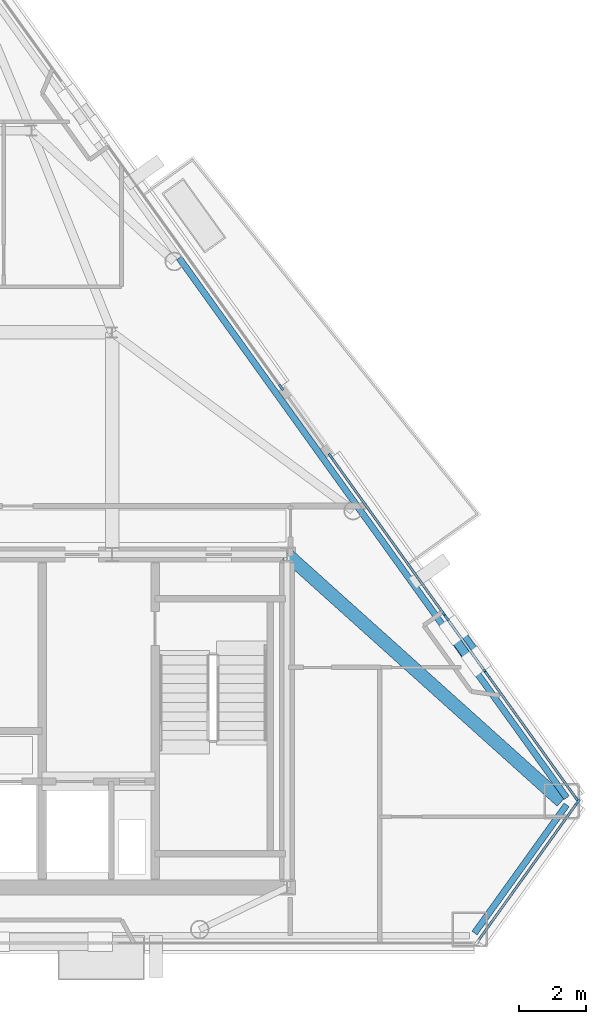
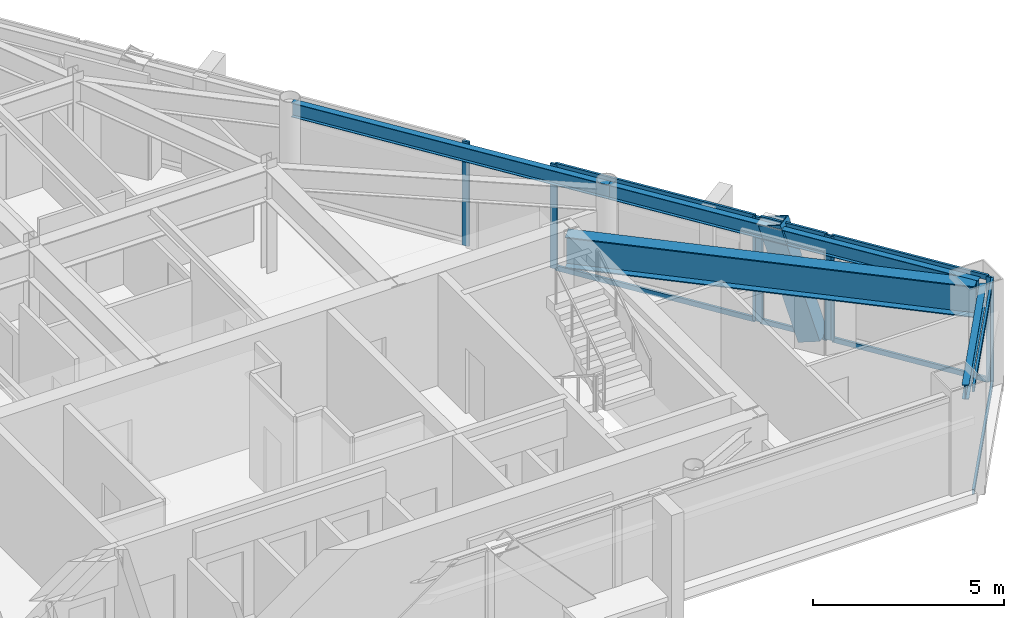
# One storey, part 5 of 11: 17 members, 4 beams, 5 elements without a shape of their own.
"""IFC4 building model written with IfcOpenShell, lengths in metres."""

from ifc_helpers import new_model, si_unit, direction, frame, origin, origin_2d, place, context, subcontext, project, spatial, rectangle, hollow_rectangle, i_section, extrude, material, layer, layer_set, material_profile, profile_set, type_object, element, aggregate, save


model = new_model("IFC4")

# Units and contexts
model_context = context("Model", 3, precision=1e-05, world=origin(), true_north=direction((0.0, 1.0)))
body_context = subcontext(model_context, "Body", "Model", "MODEL_VIEW")
ifc_project = project(units=[si_unit("LENGTHUNIT", "METRE"), si_unit("AREAUNIT", "SQUARE_METRE"), si_unit("VOLUMEUNIT", "CUBIC_METRE"), si_unit("PLANEANGLEUNIT", "RADIAN"), si_unit("MASSUNIT", "GRAM", prefix="KILO")], contexts=[model_context])

# Site, building, storey
site_placement = place(None, origin())
site = spatial("IfcSite", under=ifc_project, at=site_placement, CompositionType="ELEMENT")
building_placement = place(site_placement, origin())
building = spatial("IfcBuilding", under=site, at=building_placement, Name="Talgorran Terracotta Tower", CompositionType="ELEMENT")
storey_placement = place(building_placement, frame((0.0, 0.0, 218.10009765625)))
storey = spatial("IfcBuildingStorey", under=building, at=storey_placement, Name="L57", CompositionType="ELEMENT", Elevation=218.10009765625)

# Beams
ifc_material_1 = material(Name="Steel Grade 350 (350L0)", Category="steel")
ifc_material_profile_1 = material_profile(ifc_material_1, i_section(OverallWidth=0.39990234375, OverallDepth=1.0, WebThickness=0.01611328125, FlangeThickness=0.031005859375, at=origin_2d()), Name="1000WB296")
ifc_profile_set_1 = profile_set([ifc_material_profile_1], Name="Steel Grade 350 (350L0)")
beam_type_1 = type_object("IfcBeamType", Name="BM_1000WB296", PredefinedType="BEAM", material=ifc_profile_set_1)
beam_1_placement = place(storey_placement, frame((12.39990234375, -4.199951171875, 2.844970703125), z_axis=(0.743768255752, -0.668437567567, 0.0), x_axis=(0.668437567567, 0.743768255752, 0.0)))
element("IfcBeam", 1, at=beam_1_placement, inside=storey, type_object=beam_type_1, Name="L57 Floor Girder G18", PredefinedType="BEAM", context=body_context, shape_type="SweptSolid", body=[
    extrude(i_section(OverallWidth=0.39990234375, OverallDepth=1.0, WebThickness=0.01611328125, FlangeThickness=0.031005859375, at=origin_2d()), origin(), (0.0, 0.0, 1.0), 10.980224609375),
])
ifc_material_2 = material(Name="Steel S355 (300PLUS)", Category="steel")
ifc_material_profile_2 = material_profile(ifc_material_2, i_section(OverallWidth=0.18994140625, OverallDepth=0.45703125, WebThickness=0.009033203125, FlangeThickness=0.014404296875, at=origin_2d()), Name="460UB74.6")
ifc_profile_set_2 = profile_set([ifc_material_profile_2], Name="Steel S355 (300PLUS)")
beam_type_2 = type_object("IfcBeamType", Name="BM_SP_460UB74", PredefinedType="SPANDREL", material=ifc_profile_set_2)
beam_2_placement = place(storey_placement, frame((17.976318359375, -15.457275390625, 3.116455078125), z_axis=(0.583096756271, 0.812402715915, 0.0), x_axis=(-0.812402715915, 0.583096756271, 0.0)))
element("IfcBeam", 2, at=beam_2_placement, inside=storey, type_object=beam_type_2, Name="L57 Perimeter Spandrel Beam MC3-MC4", PredefinedType="SPANDREL", context=body_context, shape_type="SweptSolid", body=[
    extrude(i_section(OverallWidth=0.18994140625, OverallDepth=0.45703125, WebThickness=0.009033203125, FlangeThickness=0.014404296875, at=origin_2d()), origin(), (0.0, 0.0, 1.0), 4.693115234375),
])
beam_3_placement = place(storey_placement, frame((20.712890625, -11.4345703125, 3.116455078125), z_axis=(-0.583120966057, 0.812385338953, 0.0), x_axis=(-0.812385338953, -0.583120966057, 0.0)))
element("IfcBeam", 3, at=beam_3_placement, inside=storey, type_object=beam_type_2, Name="L57 Perimeter Spandrel Beam MC4-FC3", PredefinedType="SPANDREL", context=body_context, shape_type="SweptSolid", body=[
    extrude(i_section(OverallWidth=0.18994140625, OverallDepth=0.45703125, WebThickness=0.009033203125, FlangeThickness=0.014404296875, at=origin_2d()), origin(), (0.0, 0.0, 1.0), 10.63818359375),
])
beam_4_placement = place(storey_placement, frame((14.509521484375, -2.792236328125, 3.116455078125), z_axis=(-0.583100770976, 0.812399834372, 0.0), x_axis=(-0.812399834372, -0.583100770976, 0.0)))
element("IfcBeam", 4, at=beam_4_placement, inside=storey, type_object=beam_type_2, Name="L57 Perimeter Spandrel Beam FC3-FC4", PredefinedType="SPANDREL", context=body_context, shape_type="SweptSolid", body=[
    extrude(i_section(OverallWidth=0.18994140625, OverallDepth=0.45703125, WebThickness=0.009033203125, FlangeThickness=0.014404296875, at=origin_2d()), origin(), (0.0, 0.0, 1.0), 9.118408203125),
])

# Member
ifc_material_profile_3 = material_profile(ifc_material_1, hollow_rectangle(XDim=0.52001953125, YDim=0.659912109375, WallThickness=0.034912109375, at=origin_2d()), Name="WBOX660X520X35")
ifc_profile_set_3 = profile_set([ifc_material_profile_3], Name="Steel Grade 350 (350L0)")
member_type_1 = type_object("IfcMemberType", Name="MB_MEGA_660", PredefinedType="BRACE", material=ifc_profile_set_3)
member_1_placement = place(storey_placement, frame((18.02490234375, -7.380859375, -0.025146484375), z_axis=(-0.18574859012, 0.258821063004, 0.947897208886), x_axis=(-0.812430285491, -0.583058342893, 0.0)))
element("IfcMember", 5, at=member_1_placement, inside=storey, type_object=member_type_1, Name="L57 Exterior Face Mega-Brace MB-3 (NEL)", PredefinedType="BRACE", context=body_context, shape_type="SweptSolid", body=[
    extrude(hollow_rectangle(XDim=0.52001953125, YDim=0.659912109375, WallThickness=0.034912109375, at=origin_2d()), origin(), (0.0, 0.0, 1.0), 3.58154296875),
])

# Curtain wall, member
ifc_material_3 = material(Name="High-Wind Unitised Glazing", Category="glass")
ifc_layer = layer(ifc_material_3, 0.2099609375, Name="CW_SYS3_RES_HIGH")
ifc_layer_set = layer_set([ifc_layer], Name="High-Wind Unitised Glazing")
curtain_wall_type = type_object("IfcCurtainWallType", Name="CW_SYS3_RES_HIGH", PredefinedType="NOTDEFINED", material=ifc_layer_set)
curtain_wall_1_placement = place(storey_placement, origin())
curtain_wall_1 = element("IfcCurtainWall", 6, at=curtain_wall_1_placement, inside=storey, type_object=curtain_wall_type, Name="CW-L57-F2", PredefinedType="NOTDEFINED")
ifc_material_4 = material(Name="Architectural Aluminium 6063-T6", Category="aluminium")
ifc_material_profile_4 = material_profile(ifc_material_4, rectangle(XDim=0.070068359375, YDim=0.199951171875, at=origin_2d()), Name="CWM70X200")
ifc_profile_set_4 = profile_set([ifc_material_profile_4], Name="Architectural Aluminium 6063-T6")
member_type_2 = type_object("IfcMemberType", Name="MUL_70X200", PredefinedType="MULLION", material=ifc_profile_set_4)
member_2_placement = place(storey_placement, frame((21.03857421875, -11.568115234375, 0.0), z_axis=(0.0, 0.0, 1.0), x_axis=(-0.812390492916, 0.583113785654, 0.0)))
member_2 = element("IfcMember", 7, at=member_2_placement, type_object=member_type_2, Name="CW-L57-2 mullion 2", PredefinedType="MULLION", context=body_context, shape_type="SweptSolid", body=[
    extrude(rectangle(XDim=0.070068359375, YDim=0.199951171875, at=origin_2d()), origin(), (0.0, 0.0, 1.0), 3.344970703125),
])

# Curtain wall, members
curtain_wall_2_placement = place(storey_placement, origin())
curtain_wall_2 = element("IfcCurtainWall", 8, at=curtain_wall_2_placement, inside=storey, type_object=curtain_wall_type, Name="CW-L57-F40", PredefinedType="NOTDEFINED")
member_3_placement = place(storey_placement, frame((21.015380859375, -11.478759765625, 0.0), z_axis=(0.0, 0.0, 1.0), x_axis=(-0.812395984405, -0.58310613487, 0.0)))
member_3 = element("IfcMember", 9, at=member_3_placement, type_object=member_type_2, Name="CW-L57-40 mullion 1", PredefinedType="MULLION", context=body_context, shape_type="SweptSolid", body=[
    extrude(rectangle(XDim=0.070068359375, YDim=0.199951171875, at=origin_2d()), origin(), (0.0, 0.0, 1.0), 3.344970703125),
])
member_4_placement = place(storey_placement, frame((18.3505859375, -7.76611328125, 0.0), z_axis=(0.0, 0.0, 1.0), x_axis=(-0.812395984405, -0.58310613487, 0.0)))
member_4 = element("IfcMember", 10, at=member_4_placement, type_object=member_type_2, Name="CW-L57-40 mullion 2", PredefinedType="MULLION", context=body_context, shape_type="SweptSolid", body=[
    extrude(rectangle(XDim=0.070068359375, YDim=0.199951171875, at=origin_2d()), origin(), (0.0, 0.0, 1.0), 3.344970703125),
])

curtain_wall_3_placement = place(storey_placement, origin())
curtain_wall_3 = element("IfcCurtainWall", 11, at=curtain_wall_3_placement, inside=storey, type_object=curtain_wall_type, Name="CW-L57-F40B", PredefinedType="NOTDEFINED")
member_5_placement = place(storey_placement, frame((18.303955078125, -7.701171875, 0.0), z_axis=(0.0, 0.0, 1.0), x_axis=(-0.812381021692, -0.583126980678, 0.0)))
member_5 = element("IfcMember", 12, at=member_5_placement, type_object=member_type_2, Name="CW-L57-40B mullion 1", PredefinedType="MULLION", context=body_context, shape_type="SweptSolid", body=[
    extrude(rectangle(XDim=0.070068359375, YDim=0.199951171875, at=origin_2d()), origin(), (0.0, 0.0, 1.0), 3.344970703125),
])
member_6_placement = place(storey_placement, frame((17.1455078125, -6.087158203125, 0.0), z_axis=(0.0, 0.0, 1.0), x_axis=(-0.812381021692, -0.583126980678, 0.0)))
member_6 = element("IfcMember", 13, at=member_6_placement, type_object=member_type_2, Name="CW-L57-40B mullion 2", PredefinedType="MULLION", context=body_context, shape_type="SweptSolid", body=[
    extrude(rectangle(XDim=0.070068359375, YDim=0.199951171875, at=origin_2d()), origin(), (0.0, 0.0, 1.0), 3.344970703125),
])

curtain_wall_4_placement = place(storey_placement, origin())
curtain_wall_4 = element("IfcCurtainWall", 14, at=curtain_wall_4_placement, inside=storey, type_object=curtain_wall_type, Name="CW-L57-F40C", PredefinedType="NOTDEFINED")
member_7_placement = place(storey_placement, frame((17.098876953125, -6.02197265625, 0.0), z_axis=(0.0, 0.0, 1.0), x_axis=(-0.812387179738, -0.583118401525, 0.0)))
member_7 = element("IfcMember", 15, at=member_7_placement, type_object=member_type_2, Name="CW-L57-40C mullion 1", PredefinedType="MULLION", context=body_context, shape_type="SweptSolid", body=[
    extrude(rectangle(XDim=0.070068359375, YDim=0.199951171875, at=origin_2d()), origin(), (0.0, 0.0, 1.0), 3.344970703125),
])
member_8_placement = place(storey_placement, frame((13.701171875, -1.28857421875, 0.0), z_axis=(0.0, 0.0, 1.0), x_axis=(-0.812387179738, -0.583118401525, 0.0)))
member_8 = element("IfcMember", 16, at=member_8_placement, type_object=member_type_2, Name="CW-L57-40C mullion 2", PredefinedType="MULLION", context=body_context, shape_type="SweptSolid", body=[
    extrude(rectangle(XDim=0.070068359375, YDim=0.199951171875, at=origin_2d()), origin(), (0.0, 0.0, 1.0), 3.344970703125),
])

# Curtain wall, member
curtain_wall_5_placement = place(storey_placement, origin())
curtain_wall_5 = element("IfcCurtainWall", 17, at=curtain_wall_5_placement, inside=storey, type_object=curtain_wall_type, Name="CW-L57-F41", PredefinedType="NOTDEFINED")
member_9_placement = place(storey_placement, frame((12.225830078125, 0.766845703125, 0.0), z_axis=(0.0, 0.0, 1.0), x_axis=(-0.812389005263, -0.583115858237, 0.0)))
member_9 = element("IfcMember", 18, at=member_9_placement, type_object=member_type_2, Name="CW-L57-41 mullion 1", PredefinedType="MULLION", context=body_context, shape_type="SweptSolid", body=[
    extrude(rectangle(XDim=0.070068359375, YDim=0.199951171875, at=origin_2d()), origin(), (0.0, 0.0, 1.0), 3.344970703125),
])
aggregate(curtain_wall_5, [member_9])

# Member
ifc_material_profile_5 = material_profile(ifc_material_4, rectangle(XDim=0.070068359375, YDim=0.159912109375, at=origin_2d()), Name="CWT70X160")
ifc_profile_set_5 = profile_set([ifc_material_profile_5], Name="Architectural Aluminium 6063-T6")
member_type_3 = type_object("IfcMemberType", Name="TRN_70X160", PredefinedType="USERDEFINED", material=ifc_profile_set_5)
member_10_placement = place(storey_placement, frame((18.076171875, -15.6953125, 0.034912109375), z_axis=(0.583122452768, 0.812384271806, 0.0), x_axis=(-0.812384271806, 0.583122452768, 0.0)))
member_10 = element("IfcMember", 19, at=member_10_placement, type_object=member_type_3, Name="CW-L57-2 transom 1.1", ObjectType="TRANSOM", PredefinedType="USERDEFINED", context=body_context, shape_type="SweptSolid", body=[
    extrude(rectangle(XDim=0.070068359375, YDim=0.159912109375, at=origin_2d()), origin(), (0.0, 0.0, 1.0), 5.04541015625),
])

member_11_placement = place(storey_placement, frame((18.076171875, -15.6953125, 3.309814453125), z_axis=(0.583122452768, 0.812384271806, 0.0), x_axis=(-0.812384271806, 0.583122452768, 0.0)))
member_11 = element("IfcMember", 20, at=member_11_placement, type_object=member_type_3, Name="CW-L57-2 transom 1.2", ObjectType="TRANSOM", PredefinedType="USERDEFINED", context=body_context, shape_type="SweptSolid", body=[
    extrude(rectangle(XDim=0.070068359375, YDim=0.159912109375, at=origin_2d()), origin(), (0.0, 0.0, 1.0), 5.04541015625),
])

aggregate(curtain_wall_1, [member_2, member_10, member_11])

member_12_placement = place(storey_placement, frame((20.994873046875, -11.4501953125, 0.034912109375), z_axis=(-0.583079176459, 0.812415333423, 0.0), x_axis=(-0.812415333423, -0.583079176459, 0.0)))
member_12 = element("IfcMember", 21, at=member_12_placement, type_object=member_type_3, Name="CW-L57-40 transom 1.1", ObjectType="TRANSOM", PredefinedType="USERDEFINED", context=body_context, shape_type="SweptSolid", body=[
    extrude(rectangle(XDim=0.070068359375, YDim=0.159912109375, at=origin_2d()), origin(), (0.0, 0.0, 1.0), 4.499755859375),
])

member_13_placement = place(storey_placement, frame((20.994873046875, -11.4501953125, 3.309814453125), z_axis=(-0.583079176459, 0.812415333423, 0.0), x_axis=(-0.812415333423, -0.583079176459, 0.0)))
member_13 = element("IfcMember", 22, at=member_13_placement, type_object=member_type_3, Name="CW-L57-40 transom 1.2", ObjectType="TRANSOM", PredefinedType="USERDEFINED", context=body_context, shape_type="SweptSolid", body=[
    extrude(rectangle(XDim=0.070068359375, YDim=0.159912109375, at=origin_2d()), origin(), (0.0, 0.0, 1.0), 4.499755859375),
])

aggregate(curtain_wall_2, [member_3, member_4, member_12, member_13])

member_14_placement = place(storey_placement, frame((18.283447265625, -7.672607421875, 0.034912109375), z_axis=(-0.5831162641, 0.812388713943, 0.0), x_axis=(-0.812388713943, -0.5831162641, 0.0)))
member_14 = element("IfcMember", 23, at=member_14_placement, type_object=member_type_3, Name="CW-L57-40B transom 1.1", ObjectType="TRANSOM", PredefinedType="USERDEFINED", context=body_context, shape_type="SweptSolid", body=[
    extrude(rectangle(XDim=0.070068359375, YDim=0.159912109375, at=origin_2d()), origin(), (0.0, 0.0, 1.0), 1.916748046875),
])

member_15_placement = place(storey_placement, frame((18.283447265625, -7.672607421875, 3.309814453125), z_axis=(-0.5831162641, 0.812388713943, 0.0), x_axis=(-0.812388713943, -0.5831162641, 0.0)))
member_15 = element("IfcMember", 24, at=member_15_placement, type_object=member_type_3, Name="CW-L57-40B transom 1.2", ObjectType="TRANSOM", PredefinedType="USERDEFINED", context=body_context, shape_type="SweptSolid", body=[
    extrude(rectangle(XDim=0.070068359375, YDim=0.159912109375, at=origin_2d()), origin(), (0.0, 0.0, 1.0), 1.916748046875),
])

aggregate(curtain_wall_3, [member_5, member_6, member_14, member_15])

member_16_placement = place(storey_placement, frame((17.078369140625, -5.99365234375, 0.034912109375), z_axis=(-0.583114210235, 0.812390188162, 0.0), x_axis=(-0.812390188162, -0.583114210235, 0.0)))
member_16 = element("IfcMember", 25, at=member_16_placement, type_object=member_type_3, Name="CW-L57-40C transom 1.1", ObjectType="TRANSOM", PredefinedType="USERDEFINED", context=body_context, shape_type="SweptSolid", body=[
    extrude(rectangle(XDim=0.070068359375, YDim=0.159912109375, at=origin_2d()), origin(), (0.0, 0.0, 1.0), 5.756591796875),
])

member_17_placement = place(storey_placement, frame((17.078369140625, -5.99365234375, 3.309814453125), z_axis=(-0.583114210235, 0.812390188162, 0.0), x_axis=(-0.812390188162, -0.583114210235, 0.0)))
member_17 = element("IfcMember", 26, at=member_17_placement, type_object=member_type_3, Name="CW-L57-40C transom 1.2", ObjectType="TRANSOM", PredefinedType="USERDEFINED", context=body_context, shape_type="SweptSolid", body=[
    extrude(rectangle(XDim=0.070068359375, YDim=0.159912109375, at=origin_2d()), origin(), (0.0, 0.0, 1.0), 5.756591796875),
])

aggregate(curtain_wall_4, [member_7, member_8, member_16, member_17])

save(model, "model.ifc")
